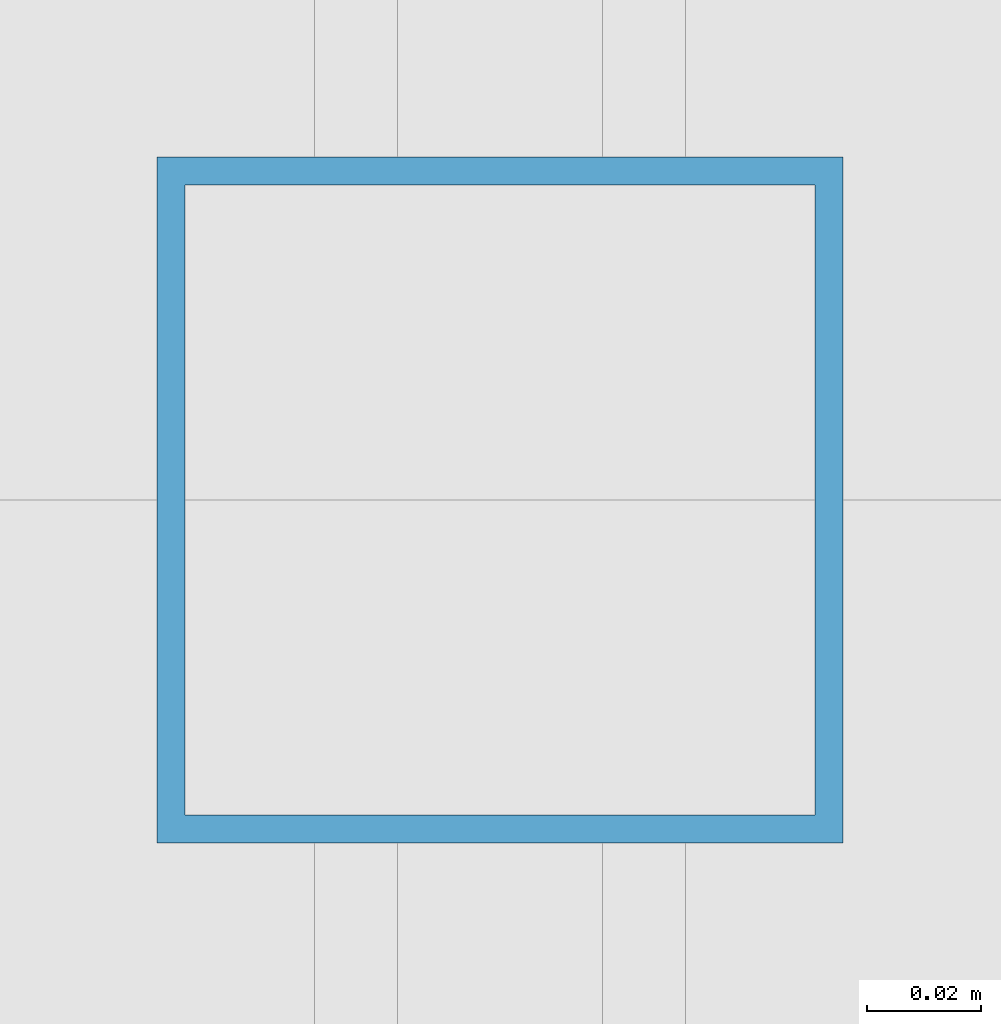
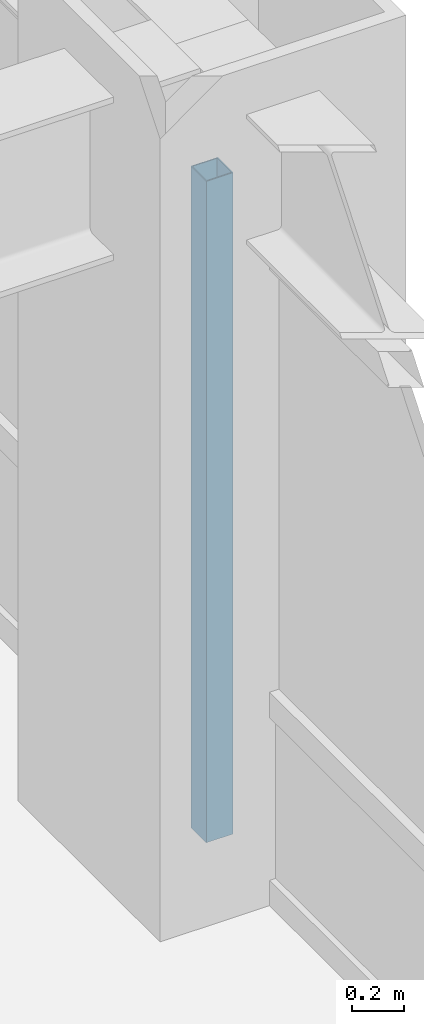
# One storey, part 10 of 24: 1 member, 1 element without a shape of its own.
"""IFC4 building model written with IfcOpenShell, lengths in metres."""

from ifc_helpers import new_model, si_unit, direction, frame, origin, origin_2d, place, context, subcontext, project, spatial, hollow_rectangle, extrude, source, transform, mapped, material, material_profile, profile_set, type_object, element, aggregate, save


model = new_model("IFC4")

# Units and contexts
model_context = context("Model", 3, precision=1e-05, world=origin(), true_north=direction((0.0, 1.0)))
body_context = subcontext(model_context, "Body", "Model", "MODEL_VIEW")
ifc_project = project(units=[si_unit("LENGTHUNIT", "METRE"), si_unit("AREAUNIT", "SQUARE_METRE"), si_unit("VOLUMEUNIT", "CUBIC_METRE"), si_unit("PLANEANGLEUNIT", "RADIAN"), si_unit("MASSUNIT", "GRAM", prefix="KILO")], contexts=[model_context])

# Site, building, storey
site_placement = place(None, origin())
site = spatial("IfcSite", under=ifc_project, at=site_placement, CompositionType="ELEMENT")
building_placement = place(site_placement, origin())
building = spatial("IfcBuilding", under=site, at=building_placement, Name="Khorayat Bourse Tower", CompositionType="ELEMENT")
storey_placement = place(building_placement, frame((0.0, 0.0, 171.10009765625)))
storey = spatial("IfcBuildingStorey", under=building, at=storey_placement, Name="L39", CompositionType="ELEMENT", Elevation=171.10009765625)

# Curtain wall, member
ifc_material = material(Name="Aluminium EN AW-6063 T6", Category="aluminium")
curtain_wall_type = type_object("IfcCurtainWallType", Name="CW-SYS-03", PredefinedType="NOTDEFINED", material=ifc_material)
curtain_wall_placement = place(storey_placement, origin())
curtain_wall = element("IfcCurtainWall", 1, at=curtain_wall_placement, inside=storey, type_object=curtain_wall_type, Name="L39 Curtain Wall CW-L39-E1", PredefinedType="NOTDEFINED")
ifc_material_profile = material_profile(ifc_material, hollow_rectangle(XDim=0.1201171875, YDim=0.1201171875, WallThickness=0.0048828125, at=origin_2d()), Name="ALU 120x120x5")
ifc_profile_set = profile_set([ifc_material_profile], Name="Aluminium EN AW-6063 T6")
member_type = type_object("IfcMemberType", Name="CWM-VERT-120", PredefinedType="MULLION", material=ifc_profile_set)
shared_shape = source(origin(), body_context, "Body", "SweptSolid", [
    extrude(hollow_rectangle(XDim=0.1201171875, YDim=0.1201171875, WallThickness=0.0048828125, at=origin_2d()), origin(), (0.0, 0.0, 1.0), 3.1298828125),
])
member_placement = place(storey_placement, frame((30.0, 0.0, 0.0), z_axis=(0.0, 0.0, 1.0), x_axis=(-1.0, 0.0, 0.0)))
member = element("IfcMember", 2, at=member_placement, type_object=member_type, Name="CW-L39-E1 Vertical Mullion 2", PredefinedType="MULLION", context=body_context, shape_type="MappedRepresentation", body=[
    mapped(shared_shape, transform((0.0, 0.0, 0.0), scale=1.0)),
])
aggregate(curtain_wall, [member])

save(model, "model.ifc")
